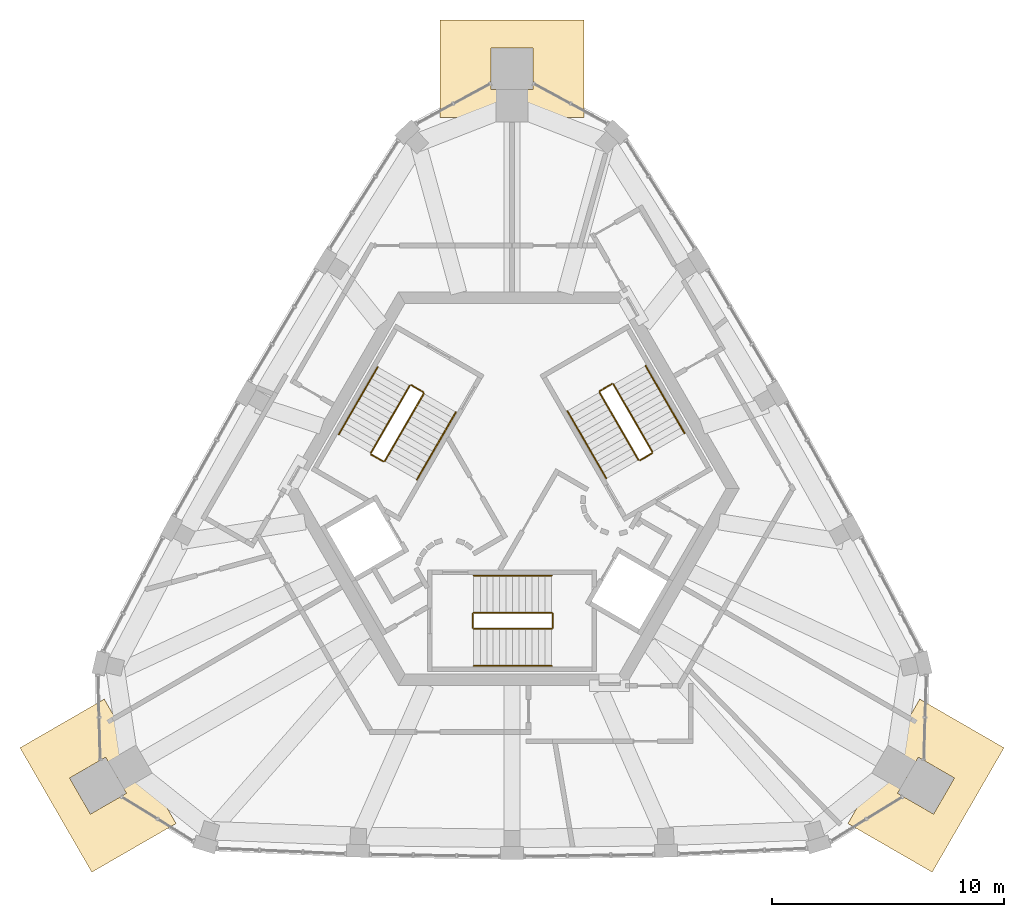
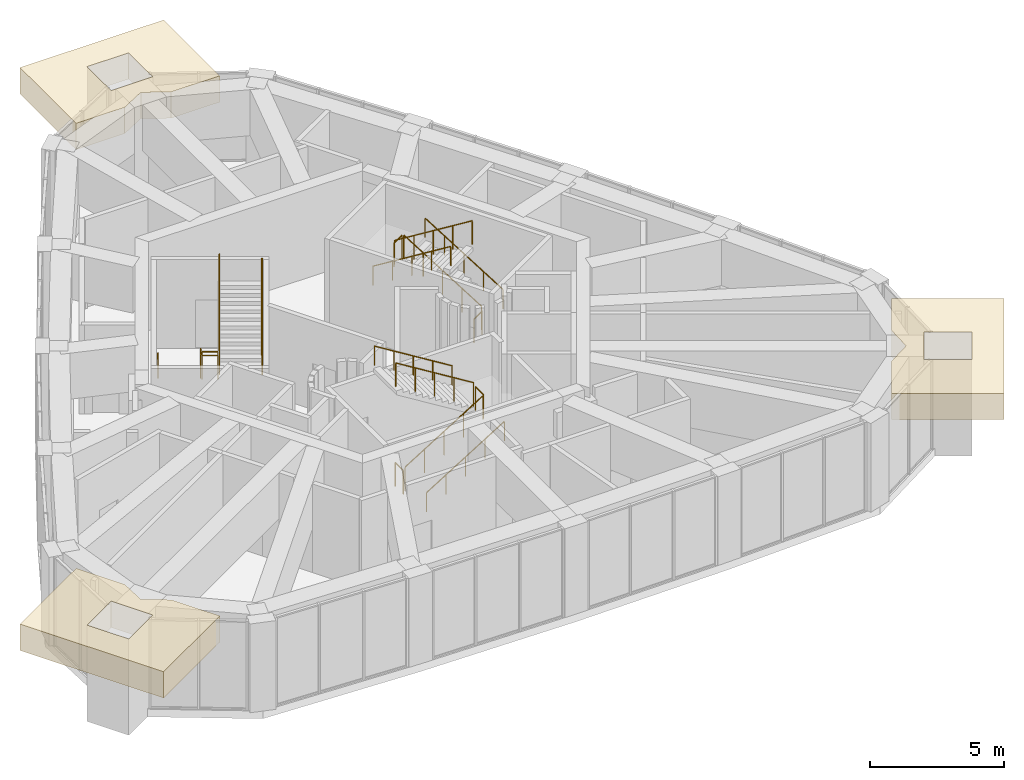
# One storey, part 11 of 11: 18 railings, 3 coverings.
"""IFC4 building model written with IfcOpenShell, lengths in metres."""

from ifc_helpers import new_model, si_unit, direction, frame, origin, origin_2d, place, context, subcontext, project, spatial, polyline, circle, outline, extrude, material, type_object, element, save


model = new_model("IFC4")

# Units and contexts
model_context = context("Model", 3, precision=1e-05, world=origin(), true_north=direction((0.0, 1.0)))
body_context = subcontext(model_context, "Body", "Model", "MODEL_VIEW")
ifc_project = project(units=[si_unit("LENGTHUNIT", "METRE"), si_unit("AREAUNIT", "SQUARE_METRE"), si_unit("VOLUMEUNIT", "CUBIC_METRE"), si_unit("PLANEANGLEUNIT", "RADIAN"), si_unit("MASSUNIT", "GRAM", prefix="KILO")], contexts=[model_context])

# Site, building, storey
site_placement = place(None, origin())
site = spatial("IfcSite", under=ifc_project, at=site_placement, CompositionType="ELEMENT")
building_placement = place(site_placement, origin())
building = spatial("IfcBuilding", under=site, at=building_placement, Name="Entoto Arch Interchange Tower", CompositionType="ELEMENT")
storey_placement = place(building_placement, frame((0.0, 0.0, 353.89990234375)))
storey = spatial("IfcBuildingStorey", under=building, at=storey_placement, Name="L83", CompositionType="ELEMENT", Elevation=353.89990234375)

# Coverings
ifc_material_1 = material(Name="Board-marked precast concrete C50/60", Category="concrete")
covering_type = type_object("IfcCoveringType", Name="PRECAST FRAME COURSE", PredefinedType="CLADDING", material=ifc_material_1)
covering_1_placement = place(storey_placement, frame((0.0, 0.0, 2.85009765625)))
element("IfcCovering", 1, at=covering_1_placement, inside=storey, type_object=covering_type, Name="Corner pilaster head SE L82-L83", PredefinedType="CLADDING", context=body_context, shape_type="SweptSolid", body=[
    extrude(outline(polyline([(21.240966796875, -8.68408203125), (18.14111328125, -14.053955078125), (14.5029296875, -11.9541015625), (15.552001953125, -10.137939453125), (16.52001953125, -9.5380859375), (16.555908203125, -8.39892578125), (17.60302734375, -6.583984375), (21.240966796875, -8.68408203125)]), holes=[polyline([(16.64306640625, -10.64794921875), (18.200927734375, -11.548095703125), (19.10107421875, -9.989990234375), (17.54296875, -9.090087890625), (16.64306640625, -10.64794921875)])]), origin(), (0.0, 0.0, 1.0), 1.199951171875),
])
covering_2_placement = place(storey_placement, frame((0.0, 0.0, 2.85009765625)))
element("IfcCovering", 2, at=covering_2_placement, inside=storey, type_object=covering_type, Name="Corner pilaster head N L82-L83", PredefinedType="CLADDING", context=body_context, shape_type="SweptSolid", body=[
    extrude(outline(polyline([(-3.10009765625, 22.737060546875), (3.10009765625, 22.737060546875), (3.10009765625, 18.537109375), (1.00390625, 18.537109375), (0.0, 19.075927734375), (-1.00390625, 18.537109375), (-3.10009765625, 18.537109375), (-3.10009765625, 22.737060546875)]), holes=[polyline([(0.89990234375, 19.737060546875), (0.89990234375, 21.537109375), (-0.89990234375, 21.537109375), (-0.89990234375, 19.737060546875), (0.89990234375, 19.737060546875)])]), origin(), (0.0, 0.0, 1.0), 1.199951171875),
])
covering_3_placement = place(storey_placement, frame((0.0, 0.0, 2.85009765625)))
element("IfcCovering", 3, at=covering_3_placement, inside=storey, type_object=covering_type, Name="Corner pilaster head SW L82-L83", PredefinedType="CLADDING", context=body_context, shape_type="SweptSolid", body=[
    extrude(outline(polyline([(-18.14111328125, -14.053955078125), (-21.240966796875, -8.68408203125), (-17.60302734375, -6.583984375), (-16.555908203125, -8.39892578125), (-16.52001953125, -9.5380859375), (-15.552001953125, -10.137939453125), (-14.5029296875, -11.9541015625), (-18.14111328125, -14.053955078125)]), holes=[polyline([(-17.54296875, -9.090087890625), (-19.10107421875, -9.989990234375), (-18.200927734375, -11.548095703125), (-16.64306640625, -10.64794921875), (-17.54296875, -9.090087890625)])]), origin(), (0.0, 0.0, 1.0), 1.199951171875),
])

# Railings
ifc_material_2 = material(Name="Stainless steel 1.4301", Category="steel")
railing_type_1 = type_object("IfcRailingType", Name="STAIR GUARD 1100 STEEL", PredefinedType="GUARDRAIL", material=ifc_material_2)
railing_1_placement = place(storey_placement, frame((-1.64990234375, -3.550048828125, 0.173095703125)))
element("IfcRailing", 4, at=railing_1_placement, inside=storey, type_object=railing_type_1, Name="L83 ST-S stair guard 1", PredefinedType="GUARDRAIL", context=body_context, shape_type="SweptSolid", body=[
    extrude(circle(Radius=0.02392578125, at=origin_2d()), frame((0.0, 0.0, 1.076171875), z_axis=(0.850606129759, 0.0, 0.525803396734), x_axis=(0.0, 1.0, 0.0)), (0.0, 0.0, 1.0), 3.949951171875),
    extrude(circle(Radius=0.02099609375, at=origin_2d()), origin(), (0.0, 0.0, 1.0), 1.052001953125),
    extrude(circle(Radius=0.02099609375, at=origin_2d()), frame((0.83984375, 0.0, 0.519287109375)), (0.0, 0.0, 1.0), 1.052001953125),
    extrude(circle(Radius=0.02099609375, at=origin_2d()), frame((1.679931640625, 0.0, 1.03857421875)), (0.0, 0.0, 1.0), 1.052001953125),
    extrude(circle(Radius=0.02099609375, at=origin_2d()), frame((2.52001953125, 0.0, 1.5576171875)), (0.0, 0.0, 1.0), 1.052001953125),
    extrude(circle(Radius=0.02099609375, at=origin_2d()), frame((3.35986328125, 0.0, 2.076904296875)), (0.0, 0.0, 1.0), 1.052001953125),
])
railing_2_placement = place(storey_placement, frame((1.760009765625, -3.5, 2.25)))
element("IfcRailing", 5, at=railing_2_placement, inside=storey, type_object=railing_type_1, Name="L83 ST-S stair guard 2", PredefinedType="GUARDRAIL", context=body_context, shape_type="SweptSolid", body=[
    extrude(circle(Radius=0.02392578125, at=origin_2d()), frame((0.0, 0.0, 1.076171875), z_axis=(0.0, 1.0, 0.0), x_axis=(-1.0, 0.0, 0.0)), (0.0, 0.0, 1.0), 0.60009765625),
    extrude(circle(Radius=0.02099609375, at=origin_2d()), origin(), (0.0, 0.0, 1.0), 1.052001953125),
    extrude(circle(Radius=0.02099609375, at=origin_2d()), frame((0.0, 0.60009765625, 0.0)), (0.0, 0.0, 1.0), 1.052001953125),
])
railing_3_placement = place(storey_placement, frame((1.7099609375, -2.85009765625, 2.423095703125)))
element("IfcRailing", 6, at=railing_3_placement, inside=storey, type_object=railing_type_1, Name="L83 ST-S stair guard 3", PredefinedType="GUARDRAIL", context=body_context, shape_type="SweptSolid", body=[
    extrude(circle(Radius=0.02392578125, at=origin_2d()), frame((0.0, 0.0, 1.076171875), z_axis=(-0.850606129759, 0.0, 0.525803396734), x_axis=(0.0, -1.0, 0.0)), (0.0, 0.0, 1.0), 3.949951171875),
    extrude(circle(Radius=0.02099609375, at=origin_2d()), origin(), (0.0, 0.0, 1.0), 1.052001953125),
    extrude(circle(Radius=0.02099609375, at=origin_2d()), frame((-0.83984375, 0.0, 0.519287109375)), (0.0, 0.0, 1.0), 1.052001953125),
    extrude(circle(Radius=0.02099609375, at=origin_2d()), frame((-1.679931640625, 0.0, 1.03857421875)), (0.0, 0.0, 1.0), 1.052001953125),
    extrude(circle(Radius=0.02099609375, at=origin_2d()), frame((-2.52001953125, 0.0, 1.5576171875)), (0.0, 0.0, 1.0), 1.052001953125),
    extrude(circle(Radius=0.02099609375, at=origin_2d()), frame((-3.35986328125, 0.0, 2.076904296875)), (0.0, 0.0, 1.0), 1.052001953125),
])
railing_4_placement = place(storey_placement, frame((-1.699951171875, -3.5, 0.0)))
element("IfcRailing", 7, at=railing_4_placement, inside=storey, type_object=railing_type_1, Name="L83 ST-S stair guard 4", PredefinedType="GUARDRAIL", context=body_context, shape_type="SweptSolid", body=[
    extrude(circle(Radius=0.02392578125, at=origin_2d()), frame((0.0, 0.0, 1.076171875), z_axis=(0.0, 1.0, 0.0), x_axis=(-1.0, 0.0, 0.0)), (0.0, 0.0, 1.0), 0.60009765625),
    extrude(circle(Radius=0.02099609375, at=origin_2d()), origin(), (0.0, 0.0, 1.0), 1.052001953125),
    extrude(circle(Radius=0.02099609375, at=origin_2d()), frame((0.0, 0.60009765625, 0.0)), (0.0, 0.0, 1.0), 1.052001953125),
])
railing_5_placement = place(storey_placement, frame((6.064453125, 4.095947265625, 0.173095703125)))
element("IfcRailing", 8, at=railing_5_placement, inside=storey, type_object=railing_type_1, Name="L83 ST-NE stair guard 1", PredefinedType="GUARDRAIL", context=body_context, shape_type="SweptSolid", body=[
    extrude(circle(Radius=0.02392578125, at=origin_2d()), frame((0.0, 0.0, 1.076171875), z_axis=(-0.425288379326, 0.736667954249, 0.525785240943), x_axis=(-0.866039179741, -0.499976138585, 0.0)), (0.0, 0.0, 1.0), 3.9501953125),
    extrude(circle(Radius=0.02099609375, at=origin_2d()), origin(), (0.0, 0.0, 1.0), 1.052001953125),
    extrude(circle(Radius=0.02099609375, at=origin_2d()), frame((-0.419921875, 0.7275390625, 0.519287109375)), (0.0, 0.0, 1.0), 1.052001953125),
    extrude(circle(Radius=0.02099609375, at=origin_2d()), frame((-0.83984375, 1.455078125, 1.03857421875)), (0.0, 0.0, 1.0), 1.052001953125),
    extrude(circle(Radius=0.02099609375, at=origin_2d()), frame((-1.260009765625, 2.182373046875, 1.5576171875)), (0.0, 0.0, 1.0), 1.052001953125),
    extrude(circle(Radius=0.02099609375, at=origin_2d()), frame((-1.679931640625, 2.909912109375, 2.076904296875)), (0.0, 0.0, 1.0), 1.052001953125),
])
railing_6_placement = place(storey_placement, frame((4.316162109375, 7.024169921875, 2.25)))
element("IfcRailing", 9, at=railing_6_placement, inside=storey, type_object=railing_type_1, Name="L83 ST-NE stair guard 2", PredefinedType="GUARDRAIL", context=body_context, shape_type="SweptSolid", body=[
    extrude(circle(Radius=0.02392578125, at=origin_2d()), frame((0.0, 0.0, 1.076171875), z_axis=(-0.865955154139, -0.50012165622, 0.0), x_axis=(0.50012165622, -0.865955154139, 0.0)), (0.0, 0.0, 1.0), 0.599853515625),
    extrude(circle(Radius=0.02099609375, at=origin_2d()), origin(), (0.0, 0.0, 1.0), 1.052001953125),
    extrude(circle(Radius=0.02099609375, at=origin_2d()), frame((-0.51953125, -0.300048828125, 0.0)), (0.0, 0.0, 1.0), 1.052001953125),
])
railing_7_placement = place(storey_placement, frame((3.7783203125, 6.656005859375, 2.423095703125)))
element("IfcRailing", 10, at=railing_7_placement, inside=storey, type_object=railing_type_1, Name="L83 ST-NE stair guard 3", PredefinedType="GUARDRAIL", context=body_context, shape_type="SweptSolid", body=[
    extrude(circle(Radius=0.02392578125, at=origin_2d()), frame((0.0, 0.0, 1.076171875), z_axis=(0.425288379326, -0.736667954249, 0.525785240943), x_axis=(0.866039179741, 0.499976138585, 0.0)), (0.0, 0.0, 1.0), 3.9501953125),
    extrude(circle(Radius=0.02099609375, at=origin_2d()), origin(), (0.0, 0.0, 1.0), 1.052001953125),
    extrude(circle(Radius=0.02099609375, at=origin_2d()), frame((0.419921875, -0.7275390625, 0.519287109375)), (0.0, 0.0, 1.0), 1.052001953125),
    extrude(circle(Radius=0.02099609375, at=origin_2d()), frame((0.83984375, -1.455078125, 1.03857421875)), (0.0, 0.0, 1.0), 1.052001953125),
    extrude(circle(Radius=0.02099609375, at=origin_2d()), frame((1.260009765625, -2.182373046875, 1.5576171875)), (0.0, 0.0, 1.0), 1.052001953125),
    extrude(circle(Radius=0.02099609375, at=origin_2d()), frame((1.679931640625, -2.909912109375, 2.076904296875)), (0.0, 0.0, 1.0), 1.052001953125),
])
railing_8_placement = place(storey_placement, frame((6.046142578125, 4.02783203125, 0.0)))
element("IfcRailing", 11, at=railing_8_placement, inside=storey, type_object=railing_type_1, Name="L83 ST-NE stair guard 4", PredefinedType="GUARDRAIL", context=body_context, shape_type="SweptSolid", body=[
    extrude(circle(Radius=0.02392578125, at=origin_2d()), frame((0.0, 0.0, 1.076171875), z_axis=(-0.865955154139, -0.50012165622, 0.0), x_axis=(0.50012165622, -0.865955154139, 0.0)), (0.0, 0.0, 1.0), 0.599853515625),
    extrude(circle(Radius=0.02099609375, at=origin_2d()), origin(), (0.0, 0.0, 1.0), 1.052001953125),
    extrude(circle(Radius=0.02099609375, at=origin_2d()), frame((-0.51953125, -0.300048828125, 0.0)), (0.0, 0.0, 1.0), 1.052001953125),
])
railing_9_placement = place(storey_placement, frame((-4.41455078125, 6.953857421875, 0.173095703125)))
element("IfcRailing", 12, at=railing_9_placement, inside=storey, type_object=railing_type_1, Name="L83 ST-NW stair guard 1", PredefinedType="GUARDRAIL", context=body_context, shape_type="SweptSolid", body=[
    extrude(circle(Radius=0.02392578125, at=origin_2d()), frame((0.0, 0.0, 1.076171875), z_axis=(-0.425307743487, -0.736639687092, 0.525809180911), x_axis=(0.866021014662, -0.500007602105, 0.0)), (0.0, 0.0, 1.0), 3.949951171875),
    extrude(circle(Radius=0.02099609375, at=origin_2d()), origin(), (0.0, 0.0, 1.0), 1.052001953125),
    extrude(circle(Radius=0.02099609375, at=origin_2d()), frame((-0.419921875, -0.7275390625, 0.519287109375)), (0.0, 0.0, 1.0), 1.052001953125),
    extrude(circle(Radius=0.02099609375, at=origin_2d()), frame((-0.83984375, -1.454833984375, 1.03857421875)), (0.0, 0.0, 1.0), 1.052001953125),
    extrude(circle(Radius=0.02099609375, at=origin_2d()), frame((-1.260009765625, -2.18212890625, 1.5576171875)), (0.0, 0.0, 1.0), 1.052001953125),
    extrude(circle(Radius=0.02099609375, at=origin_2d()), frame((-1.679931640625, -2.90966796875, 2.076904296875)), (0.0, 0.0, 1.0), 1.052001953125),
])
railing_10_placement = place(storey_placement, frame((-6.076171875, 3.975830078125, 2.25)))
element("IfcRailing", 13, at=railing_10_placement, inside=storey, type_object=railing_type_1, Name="L83 ST-NW stair guard 2", PredefinedType="GUARDRAIL", context=body_context, shape_type="SweptSolid", body=[
    extrude(circle(Radius=0.02392578125, at=origin_2d()), frame((0.0, 0.0, 1.076171875), z_axis=(0.865955154139, -0.50012165622, 0.0), x_axis=(0.50012165622, 0.865955154139, 0.0)), (0.0, 0.0, 1.0), 0.599853515625),
    extrude(circle(Radius=0.02099609375, at=origin_2d()), origin(), (0.0, 0.0, 1.0), 1.052001953125),
    extrude(circle(Radius=0.02099609375, at=origin_2d()), frame((0.51953125, -0.300048828125, 0.0)), (0.0, 0.0, 1.0), 1.052001953125),
])
railing_11_placement = place(storey_placement, frame((-5.48828125, 3.694091796875, 2.423095703125)))
element("IfcRailing", 14, at=railing_11_placement, inside=storey, type_object=railing_type_1, Name="L83 ST-NW stair guard 3", PredefinedType="GUARDRAIL", context=body_context, shape_type="SweptSolid", body=[
    extrude(circle(Radius=0.02392578125, at=origin_2d()), frame((0.0, 0.0, 1.076171875), z_axis=(0.425288379326, 0.736667954249, 0.525785240943), x_axis=(-0.866039179741, 0.499976138585, 0.0)), (0.0, 0.0, 1.0), 3.9501953125),
    extrude(circle(Radius=0.02099609375, at=origin_2d()), origin(), (0.0, 0.0, 1.0), 1.052001953125),
    extrude(circle(Radius=0.02099609375, at=origin_2d()), frame((0.419921875, 0.7275390625, 0.519287109375)), (0.0, 0.0, 1.0), 1.052001953125),
    extrude(circle(Radius=0.02099609375, at=origin_2d()), frame((0.83984375, 1.455078125, 1.03857421875)), (0.0, 0.0, 1.0), 1.052001953125),
    extrude(circle(Radius=0.02099609375, at=origin_2d()), frame((1.260009765625, 2.182373046875, 1.5576171875)), (0.0, 0.0, 1.0), 1.052001953125),
    extrude(circle(Radius=0.02099609375, at=origin_2d()), frame((1.679931640625, 2.909912109375, 2.076904296875)), (0.0, 0.0, 1.0), 1.052001953125),
])
railing_12_placement = place(storey_placement, frame((-4.34619140625, 6.97216796875, 0.0)))
element("IfcRailing", 15, at=railing_12_placement, inside=storey, type_object=railing_type_1, Name="L83 ST-NW stair guard 4", PredefinedType="GUARDRAIL", context=body_context, shape_type="SweptSolid", body=[
    extrude(circle(Radius=0.02392578125, at=origin_2d()), frame((0.0, 0.0, 1.076171875), z_axis=(0.866232998003, -0.499640263761, 0.0), x_axis=(0.499640263761, 0.866232998003, 0.0)), (0.0, 0.0, 1.0), 0.60009765625),
    extrude(circle(Radius=0.02099609375, at=origin_2d()), origin(), (0.0, 0.0, 1.0), 1.052001953125),
    extrude(circle(Radius=0.02099609375, at=origin_2d()), frame((0.519775390625, -0.2998046875, 0.0)), (0.0, 0.0, 1.0), 1.052001953125),
])
railing_type_2 = type_object("IfcRailingType", Name="STAIR HANDRAIL 900 STEEL", PredefinedType="HANDRAIL", material=ifc_material_2)
railing_13_placement = place(storey_placement, frame((-1.64990234375, -5.14990234375, 0.173095703125)))
element("IfcRailing", 16, at=railing_13_placement, inside=storey, type_object=railing_type_2, Name="L83 ST-S stair handrail 1", PredefinedType="HANDRAIL", context=body_context, shape_type="SweptSolid", body=[
    extrude(circle(Radius=0.02392578125, at=origin_2d()), frame((0.0, 0.0, 0.8759765625), z_axis=(0.850606129759, 0.0, 0.525803396734), x_axis=(0.0, 1.0, 0.0)), (0.0, 0.0, 1.0), 3.949951171875),
    extrude(circle(Radius=0.02099609375, at=origin_2d()), origin(), (0.0, 0.0, 1.0), 0.851806640625),
    extrude(circle(Radius=0.02099609375, at=origin_2d()), frame((0.83984375, 0.0, 0.519287109375)), (0.0, 0.0, 1.0), 0.851806640625),
    extrude(circle(Radius=0.02099609375, at=origin_2d()), frame((1.679931640625, 0.0, 1.03857421875)), (0.0, 0.0, 1.0), 0.851806640625),
    extrude(circle(Radius=0.02099609375, at=origin_2d()), frame((2.52001953125, 0.0, 1.5576171875)), (0.0, 0.0, 1.0), 0.851806640625),
    extrude(circle(Radius=0.02099609375, at=origin_2d()), frame((3.35986328125, 0.0, 2.076904296875)), (0.0, 0.0, 1.0), 0.851806640625),
])
railing_14_placement = place(storey_placement, frame((1.7099609375, -1.25, 2.423095703125)))
element("IfcRailing", 17, at=railing_14_placement, inside=storey, type_object=railing_type_2, Name="L83 ST-S stair handrail 2", PredefinedType="HANDRAIL", context=body_context, shape_type="SweptSolid", body=[
    extrude(circle(Radius=0.02392578125, at=origin_2d()), frame((0.0, 0.0, 0.8759765625), z_axis=(-0.850606129759, 0.0, 0.525803396734), x_axis=(0.0, -1.0, 0.0)), (0.0, 0.0, 1.0), 3.949951171875),
    extrude(circle(Radius=0.02099609375, at=origin_2d()), origin(), (0.0, 0.0, 1.0), 0.851806640625),
    extrude(circle(Radius=0.02099609375, at=origin_2d()), frame((-0.83984375, 0.0, 0.519287109375)), (0.0, 0.0, 1.0), 0.851806640625),
    extrude(circle(Radius=0.02099609375, at=origin_2d()), frame((-1.679931640625, 0.0, 1.03857421875)), (0.0, 0.0, 1.0), 0.851806640625),
    extrude(circle(Radius=0.02099609375, at=origin_2d()), frame((-2.52001953125, 0.0, 1.5576171875)), (0.0, 0.0, 1.0), 0.851806640625),
    extrude(circle(Radius=0.02099609375, at=origin_2d()), frame((-3.35986328125, 0.0, 2.076904296875)), (0.0, 0.0, 1.0), 0.851806640625),
])
railing_15_placement = place(storey_placement, frame((7.4501953125, 4.89599609375, 0.173095703125)))
element("IfcRailing", 18, at=railing_15_placement, inside=storey, type_object=railing_type_2, Name="L83 ST-NE stair handrail 1", PredefinedType="HANDRAIL", context=body_context, shape_type="SweptSolid", body=[
    extrude(circle(Radius=0.02392578125, at=origin_2d()), frame((0.0, 0.0, 0.8759765625), z_axis=(-0.42533900462, 0.736648589954, 0.52577141998), x_axis=(-0.866007717299, -0.500030632641, 0.0)), (0.0, 0.0, 1.0), 3.9501953125),
    extrude(circle(Radius=0.02099609375, at=origin_2d()), origin(), (0.0, 0.0, 1.0), 0.851806640625),
    extrude(circle(Radius=0.02099609375, at=origin_2d()), frame((-0.419921875, 0.7275390625, 0.519287109375)), (0.0, 0.0, 1.0), 0.851806640625),
    extrude(circle(Radius=0.02099609375, at=origin_2d()), frame((-0.840087890625, 1.455078125, 1.03857421875)), (0.0, 0.0, 1.0), 0.851806640625),
    extrude(circle(Radius=0.02099609375, at=origin_2d()), frame((-1.26025390625, 2.182373046875, 1.5576171875)), (0.0, 0.0, 1.0), 0.851806640625),
    extrude(circle(Radius=0.02099609375, at=origin_2d()), frame((-1.68017578125, 2.909912109375, 2.076904296875)), (0.0, 0.0, 1.0), 0.851806640625),
])
railing_16_placement = place(storey_placement, frame((2.392578125, 5.85595703125, 2.423095703125)))
element("IfcRailing", 19, at=railing_16_placement, inside=storey, type_object=railing_type_2, Name="L83 ST-NE stair handrail 2", PredefinedType="HANDRAIL", context=body_context, shape_type="SweptSolid", body=[
    extrude(circle(Radius=0.02392578125, at=origin_2d()), frame((0.0, 0.0, 0.8759765625), z_axis=(0.425288379326, -0.736667954249, 0.525785240943), x_axis=(0.866039179741, 0.499976138585, 0.0)), (0.0, 0.0, 1.0), 3.9501953125),
    extrude(circle(Radius=0.02099609375, at=origin_2d()), origin(), (0.0, 0.0, 1.0), 0.851806640625),
    extrude(circle(Radius=0.02099609375, at=origin_2d()), frame((0.419921875, -0.7275390625, 0.519287109375)), (0.0, 0.0, 1.0), 0.851806640625),
    extrude(circle(Radius=0.02099609375, at=origin_2d()), frame((0.83984375, -1.455078125, 1.03857421875)), (0.0, 0.0, 1.0), 0.851806640625),
    extrude(circle(Radius=0.02099609375, at=origin_2d()), frame((1.260009765625, -2.182373046875, 1.5576171875)), (0.0, 0.0, 1.0), 0.851806640625),
    extrude(circle(Radius=0.02099609375, at=origin_2d()), frame((1.679931640625, -2.909912109375, 2.076904296875)), (0.0, 0.0, 1.0), 0.851806640625),
])
railing_17_placement = place(storey_placement, frame((-5.800048828125, 7.75390625, 0.173095703125)))
element("IfcRailing", 20, at=railing_17_placement, inside=storey, type_object=railing_type_2, Name="L83 ST-NW stair handrail 1", PredefinedType="HANDRAIL", context=body_context, shape_type="SweptSolid", body=[
    extrude(circle(Radius=0.02392578125, at=origin_2d()), frame((0.0, 0.0, 0.8759765625), z_axis=(-0.425288379326, -0.736667954249, 0.525785240943), x_axis=(0.866039179741, -0.499976138585, 0.0)), (0.0, 0.0, 1.0), 3.9501953125),
    extrude(circle(Radius=0.02099609375, at=origin_2d()), origin(), (0.0, 0.0, 1.0), 0.851806640625),
    extrude(circle(Radius=0.02099609375, at=origin_2d()), frame((-0.419921875, -0.7275390625, 0.519287109375)), (0.0, 0.0, 1.0), 0.851806640625),
    extrude(circle(Radius=0.02099609375, at=origin_2d()), frame((-0.83984375, -1.455078125, 1.03857421875)), (0.0, 0.0, 1.0), 0.851806640625),
    extrude(circle(Radius=0.02099609375, at=origin_2d()), frame((-1.260009765625, -2.182373046875, 1.5576171875)), (0.0, 0.0, 1.0), 0.851806640625),
    extrude(circle(Radius=0.02099609375, at=origin_2d()), frame((-1.679931640625, -2.909912109375, 2.076904296875)), (0.0, 0.0, 1.0), 0.851806640625),
])
railing_18_placement = place(storey_placement, frame((-4.1025390625, 2.89404296875, 2.423095703125)))
element("IfcRailing", 21, at=railing_18_placement, inside=storey, type_object=railing_type_2, Name="L83 ST-NW stair handrail 2", PredefinedType="HANDRAIL", context=body_context, shape_type="SweptSolid", body=[
    extrude(circle(Radius=0.02392578125, at=origin_2d()), frame((0.0, 0.0, 0.8759765625), z_axis=(0.425288379326, 0.736667954249, 0.525785240943), x_axis=(-0.866039179741, 0.499976138585, 0.0)), (0.0, 0.0, 1.0), 3.9501953125),
    extrude(circle(Radius=0.02099609375, at=origin_2d()), origin(), (0.0, 0.0, 1.0), 0.851806640625),
    extrude(circle(Radius=0.02099609375, at=origin_2d()), frame((0.419921875, 0.7275390625, 0.519287109375)), (0.0, 0.0, 1.0), 0.851806640625),
    extrude(circle(Radius=0.02099609375, at=origin_2d()), frame((0.83984375, 1.455078125, 1.03857421875)), (0.0, 0.0, 1.0), 0.851806640625),
    extrude(circle(Radius=0.02099609375, at=origin_2d()), frame((1.260009765625, 2.182373046875, 1.5576171875)), (0.0, 0.0, 1.0), 0.851806640625),
    extrude(circle(Radius=0.02099609375, at=origin_2d()), frame((1.679931640625, 2.909912109375, 2.076904296875)), (0.0, 0.0, 1.0), 0.851806640625),
])

save(model, "model.ifc")
